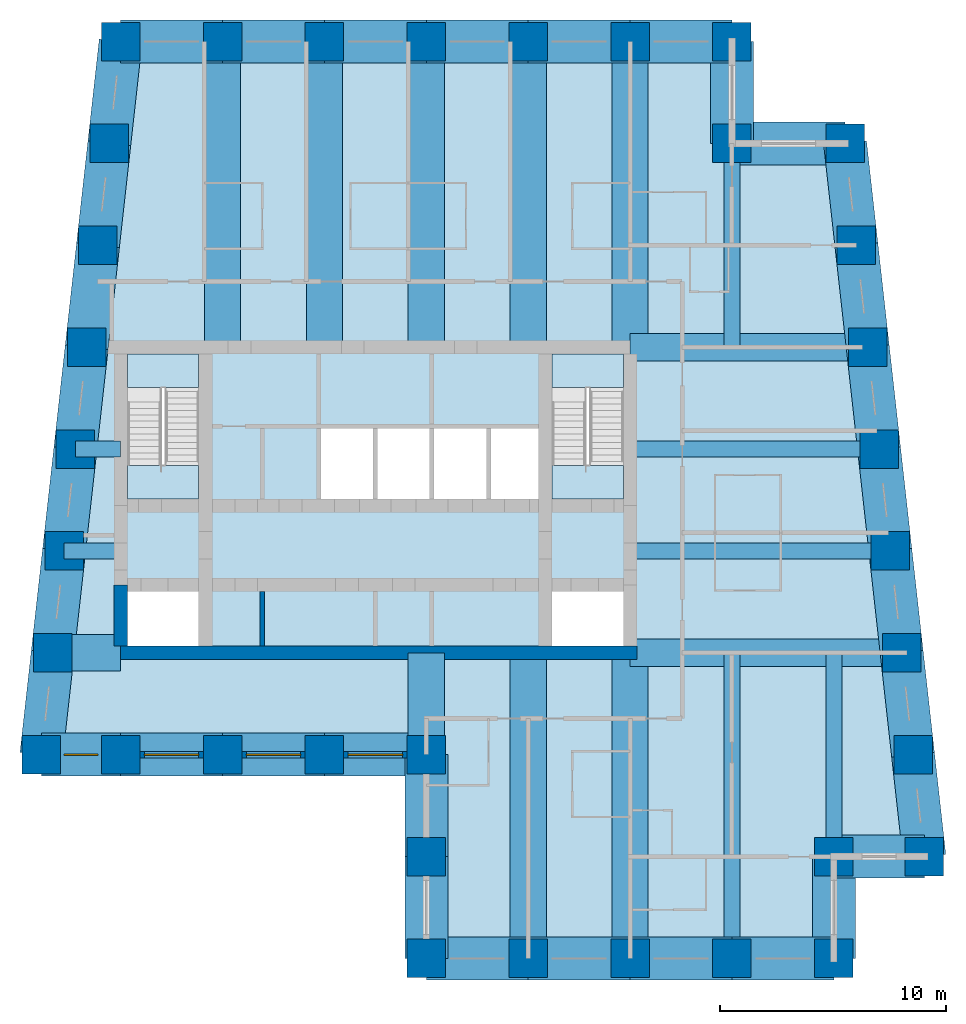
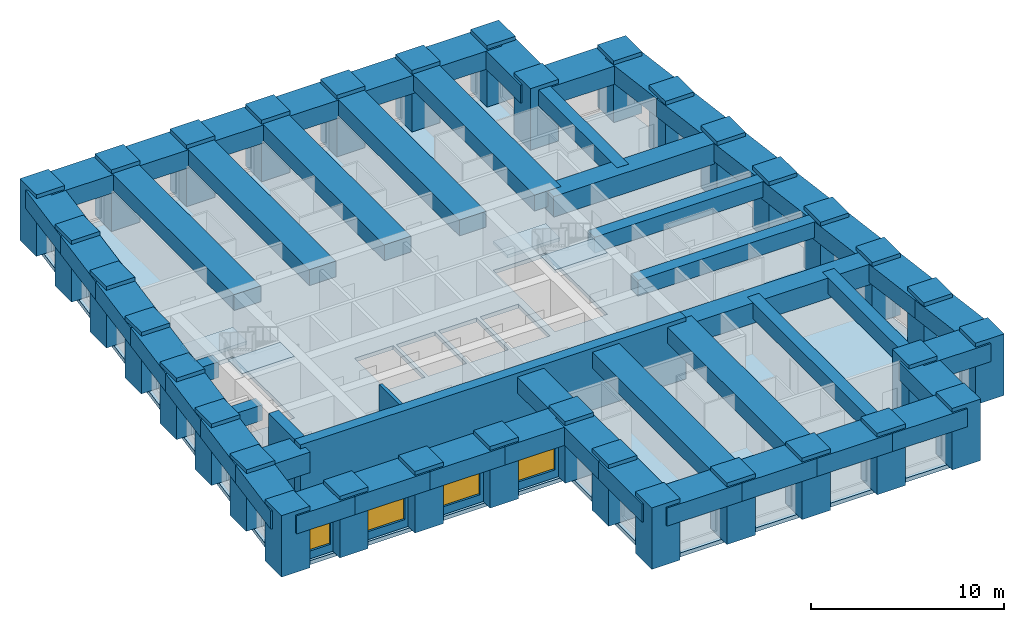
# One storey, part 1 of 7: 52 beams, 34 columns, 5 slabs, 4 walls, 4 windows, 4 openings, 2 elements without a shape of their own.
"""IFC4 building model written with IfcOpenShell, lengths in metres."""

from ifc_helpers import new_model, si_unit, direction, frame, frame_2d, origin, origin_2d, place, context, subcontext, project, spatial, polyline, rectangle, outline, extrude, material, layer, layer_set, material_profile, profile_set, type_object, element, fill, aggregate, save


model = new_model("IFC4")

# Units and contexts
model_context = context("Model", 3, precision=1e-05, world=origin(), true_north=direction((0.0, 1.0)))
body_context = subcontext(model_context, "Body", "Model", "MODEL_VIEW")
ifc_project = project(units=[si_unit("LENGTHUNIT", "METRE"), si_unit("AREAUNIT", "SQUARE_METRE"), si_unit("VOLUMEUNIT", "CUBIC_METRE"), si_unit("PLANEANGLEUNIT", "RADIAN"), si_unit("MASSUNIT", "GRAM", prefix="KILO")], contexts=[model_context])

# Site, building, storey
site_placement = place(None, origin())
site = spatial("IfcSite", under=ifc_project, at=site_placement, CompositionType="ELEMENT")
building_placement = place(site_placement, origin())
building = spatial("IfcBuilding", under=site, at=building_placement, Name="Kilele Tower Hotel", CompositionType="ELEMENT")
storey_placement = place(building_placement, frame((0.0, 0.0, 225.199951171875)))
storey = spatial("IfcBuildingStorey", under=building, at=storey_placement, Name="L58", CompositionType="ELEMENT", Elevation=225.199951171875)

# Columns
ifc_material_1 = material(Name="Concrete C60/75", Category="concrete")
ifc_material_profile_1 = material_profile(ifc_material_1, rectangle(XDim=1.699951171875, YDim=1.699951171875, at=origin_2d()))
ifc_profile_set_1 = profile_set([ifc_material_profile_1], Name="Concrete C60/75")
column_type = type_object("IfcColumnType", Name="Tube column RC 1700x1700 C60/75", PredefinedType="COLUMN", material=ifc_profile_set_1)
for number, where, z_axis, x_axis, name in (
    (1, (10.0, 9.0, 0.0), (0.0, 0.0, 1.0), (1.0, 0.0, 0.0), "Column TC4 L58"),
    (2, (13.5, 9.0, 0.0), (0.0, 0.0, 1.0), (1.0, 0.0, 0.0), "Column TC4 L58"),
    (3, (18.0, 9.0, 0.0), (0.0, 0.0, 1.0), (1.0, 0.0, 0.0), "Column TC4 L58"),
    (4, (22.5, 9.0, 0.0), (0.0, 0.0, 1.0), (1.0, 0.0, 0.0), "Column TC4 L58"),
    (5, (27.0, 9.0, 0.0), (0.0, 0.0, 1.0), (1.0, 0.0, 0.0), "Column TC4 L58"),
    (6, (27.0, 4.5, 0.0), (0.0, 0.0, 1.0), (1.0, 0.0, 0.0), "Column TC4 L58"),
    (7, (27.0, 0.0, 0.0), (0.0, 0.0, 1.0), (1.0, 0.0, 0.0), "Column TC4 L58"),
    (8, (31.5, 0.0, 0.0), (0.0, 0.0, 1.0), (1.0, 0.0, 0.0), "Column TC4 L58"),
    (9, (36.0, 0.0, 0.0), (0.0, 0.0, 1.0), (1.0, 0.0, 0.0), "Column TC4 L58"),
    (10, (40.5, 0.0, 0.0), (0.0, 0.0, 1.0), (1.0, 0.0, 0.0), "Column TC4 L58"),
    (11, (45.0, 0.0, 0.0), (0.0, 0.0, 1.0), (1.0, 0.0, 0.0), "Column TC4 L58"),
    (12, (45.0, 4.5, 0.0), (0.0, 0.0, 1.0), (1.0, 0.0, 0.0), "Column TC4 L58"),
    (13, (49.0, 4.5, 0.0), (0.0, 0.0, 1.0), (1.0, 0.0, 0.0), "Column TC4 L58"),
    (14, (48.5, 9.0, 0.0), (0.0, 0.0, 1.0), (1.0, 0.0, 0.0), "Column TC4 L58"),
    (15, (48.0, 13.5, 0.0), (0.0, 0.0, 1.0), (1.0, 0.0, 0.0), "Column TC4 L58"),
    (16, (47.5, 18.0, 0.0), (0.0, 0.0, 1.0), (1.0, 0.0, 0.0), "Column TC4 L58"),
    (17, (47.0, 22.5, 0.0), (0.0, 0.0, 1.0), (1.0, 0.0, 0.0), "Column TC4 L58"),
    (18, (46.5, 27.0, 0.0), (0.0, 0.0, 1.0), (1.0, 0.0, 0.0), "Column TC4 L58"),
    (19, (46.0, 31.5, 0.0), (0.0, 0.0, 1.0), (1.0, 0.0, 0.0), "Column TC4 L58"),
    (20, (45.5, 36.0, 0.0), (0.0, 0.0, 1.0), (1.0, 0.0, 0.0), "Column TC4 L58"),
    (21, (40.5, 36.0, 0.0), (0.0, 0.0, 1.0), (1.0, 0.0, 0.0), "Column TC4 L58"),
    (22, (40.5, 40.5, 0.0), (0.0, 0.0, 1.0), (1.0, 0.0, 0.0), "Column TC4 L58"),
    (23, (36.0, 40.5, 0.0), (0.0, 0.0, 1.0), (1.0, 0.0, 0.0), "Column TC4 L58"),
    (24, (31.5, 40.5, 0.0), (0.0, 0.0, 1.0), (1.0, 0.0, 0.0), "Column TC4 L58"),
    (25, (27.0, 40.5, 0.0), (0.0, 0.0, 1.0), (1.0, 0.0, 0.0), "Column TC4 L58"),
    (26, (22.5, 40.5, 0.0), (0.0, 0.0, 1.0), (1.0, 0.0, 0.0), "Column TC4 L58"),
    (27, (18.0, 40.5, 0.0), (0.0, 0.0, 1.0), (1.0, 0.0, 0.0), "Column TC4 L58"),
    (28, (13.5, 40.5, 0.0), (0.0, 0.0, 1.0), (1.0, 0.0, 0.0), "Column TC4 L58"),
    (29, (13.0, 36.0, 0.0), (0.0, 0.0, 1.0), (1.0, 0.0, 0.0), "Column TC4 L58"),
    (30, (12.5, 31.5, 0.0), (0.0, 0.0, 1.0), (1.0, 0.0, 0.0), "Column TC4 L58"),
    (31, (12.0, 27.0, 0.0), (0.0, 0.0, 1.0), (1.0, 0.0, 0.0), "Column TC4 L58"),
    (32, (11.5, 22.5, 0.0), (0.0, 0.0, 1.0), (1.0, 0.0, 0.0), "Column TC4 L58"),
    (33, (11.0, 18.0, 0.0), (0.0, 0.0, 1.0), (1.0, 0.0, 0.0), "Column TC4 L58"),
    (34, (10.5, 13.5, 0.0), (0.0, 0.0, 1.0), (1.0, 0.0, 0.0), "Column TC4 L58"),
):
    element("IfcColumn", number, at=place(storey_placement, frame(where, z_axis=z_axis, x_axis=x_axis)), inside=storey, type_object=column_type, Name=name, PredefinedType="COLUMN", context=body_context, shape_type="SweptSolid", body=[
        extrude(rectangle(XDim=1.699951171875, YDim=1.699951171875, at=origin_2d()), origin(), (0.0, 0.0, 1.0), 3.900146484375),
    ])

# Beams
ifc_material_2 = material(Name="Concrete C60/75", Category="concrete")
ifc_material_profile_2 = material_profile(ifc_material_2, rectangle(XDim=1.60009765625, YDim=1.0, at=origin_2d()))
ifc_profile_set_2 = profile_set([ifc_material_profile_2], Name="Concrete C60/75")
beam_type_1 = type_object("IfcBeamType", Name="Beam RC 1600x1000 C60/75", PredefinedType="BEAM", material=ifc_profile_set_2)
for number, where, z_axis, x_axis, name in (
    (35, (31.5, 0.0, 3.150146484375), (0.0, 1.0, 0.0), (-1.0, 0.0, 0.0), "Beam BC1 level L59"),
    (36, (36.0, 0.0, 3.150146484375), (0.0, 1.0, 0.0), (-1.0, 0.0, 0.0), "Beam BC1 level L59"),
    (37, (36.0, 40.5, 3.150146484375), (0.0, -1.0, 0.0), (1.0, 0.0, 0.0), "Beam BC1 level L59"),
    (38, (31.5, 40.5, 3.150146484375), (0.0, -1.0, 0.0), (1.0, 0.0, 0.0), "Beam BC1 level L59"),
    (39, (27.0, 40.5, 3.150146484375), (0.0, -1.0, 0.0), (1.0, 0.0, 0.0), "Beam BC1 level L59"),
    (40, (22.5, 40.5, 3.150146484375), (0.0, -1.0, 0.0), (1.0, 0.0, 0.0), "Beam BC1 level L59"),
    (41, (18.0, 40.5, 3.150146484375), (0.0, -1.0, 0.0), (1.0, 0.0, 0.0), "Beam BC1 level L59"),
):
    element("IfcBeam", number, at=place(storey_placement, frame(where, z_axis=z_axis, x_axis=x_axis)), inside=storey, type_object=beam_type_1, Name=name, PredefinedType="BEAM", context=body_context, shape_type="SweptSolid", body=[
        extrude(rectangle(XDim=1.60009765625, YDim=1.0, at=origin_2d()), origin(), (0.0, 0.0, 1.0), 13.5),
    ])
ifc_material_3 = material(Name="Concrete C60/75", Category="concrete")
ifc_material_profile_3 = material_profile(ifc_material_3, rectangle(XDim=1.60009765625, YDim=1.0, at=origin_2d()))
ifc_profile_set_3 = profile_set([ifc_material_profile_3], Name="Concrete C60/75")
beam_type_2 = type_object("IfcBeamType", Name="Beam RC 1600x1000 C60/75 short span", PredefinedType="BEAM", material=ifc_profile_set_3)
beam_1_placement = place(storey_placement, frame((27.0, 9.0, 3.150146484375), z_axis=(0.0, 1.0, 0.0), x_axis=(-1.0, 0.0, 0.0)))
element("IfcBeam", 42, at=beam_1_placement, inside=storey, type_object=beam_type_2, Name="Beam BC2 level L59", PredefinedType="BEAM", context=body_context, shape_type="SweptSolid", body=[
    extrude(rectangle(XDim=1.60009765625, YDim=1.0, at=origin_2d()), origin(), (0.0, 0.0, 1.0), 4.5),
])
ifc_material_4 = material(Name="Concrete C60/75", Category="concrete")
ifc_material_profile_4 = material_profile(ifc_material_4, rectangle(XDim=0.699951171875, YDim=1.0, at=origin_2d()))
ifc_profile_set_4 = profile_set([ifc_material_profile_4], Name="Concrete C60/75")
beam_type_3 = type_object("IfcBeamType", Name="Beam RC 700x1000 C60/75", PredefinedType="BEAM", material=ifc_profile_set_4)
beam_2_placement = place(storey_placement, frame((40.5, 0.0, 3.150146484375), z_axis=(0.0, 1.0, 0.0), x_axis=(-1.0, 0.0, 0.0)))
element("IfcBeam", 43, at=beam_2_placement, inside=storey, type_object=beam_type_3, Name="Beam B4 level L59", PredefinedType="BEAM", context=body_context, shape_type="SweptSolid", body=[
    extrude(rectangle(XDim=0.699951171875, YDim=1.0, at=origin_2d()), origin(), (0.0, 0.0, 1.0), 13.5),
])
ifc_material_5 = material(Name="Concrete C60/75", Category="concrete")
ifc_material_profile_5 = material_profile(ifc_material_5, rectangle(XDim=0.699951171875, YDim=1.0, at=origin_2d()))
ifc_profile_set_5 = profile_set([ifc_material_profile_5], Name="Concrete C60/75")
beam_type_4 = type_object("IfcBeamType", Name="Beam RC 700x1000 C60/75 mid span", PredefinedType="BEAM", material=ifc_profile_set_5)
beam_3_placement = place(storey_placement, frame((45.0, 4.5, 3.150146484375), z_axis=(0.0, 1.0, 0.0), x_axis=(-1.0, 0.0, 0.0)))
element("IfcBeam", 44, at=beam_3_placement, inside=storey, type_object=beam_type_4, Name="Beam B5 level L59", PredefinedType="BEAM", context=body_context, shape_type="SweptSolid", body=[
    extrude(rectangle(XDim=0.699951171875, YDim=1.0, at=origin_2d()), origin(), (0.0, 0.0, 1.0), 9.0),
])
beam_4_placement = place(storey_placement, frame((47.5, 18.0, 3.150146484375), z_axis=(-1.0, 0.0, 0.0), x_axis=(0.0, -1.0, 0.0)))
element("IfcBeam", 45, at=beam_4_placement, inside=storey, type_object=beam_type_4, Name="Beam B5 level L59", PredefinedType="BEAM", context=body_context, shape_type="SweptSolid", body=[
    extrude(rectangle(XDim=0.699951171875, YDim=1.0, at=origin_2d()), origin(), (0.0, 0.0, 1.0), 11.5),
])
beam_5_placement = place(storey_placement, frame((47.0, 22.5, 3.150146484375), z_axis=(-1.0, 0.0, 0.0), x_axis=(0.0, -1.0, 0.0)))
element("IfcBeam", 46, at=beam_5_placement, inside=storey, type_object=beam_type_4, Name="Beam B5 level L59", PredefinedType="BEAM", context=body_context, shape_type="SweptSolid", body=[
    extrude(rectangle(XDim=0.699951171875, YDim=1.0, at=origin_2d()), origin(), (0.0, 0.0, 1.0), 11.0),
])
beam_6_placement = place(storey_placement, frame((40.5, 36.0, 3.150146484375), z_axis=(0.0, -1.0, 0.0), x_axis=(1.0, 0.0, 0.0)))
element("IfcBeam", 47, at=beam_6_placement, inside=storey, type_object=beam_type_4, Name="Beam B5 level L59", PredefinedType="BEAM", context=body_context, shape_type="SweptSolid", body=[
    extrude(rectangle(XDim=0.699951171875, YDim=1.0, at=origin_2d()), origin(), (0.0, 0.0, 1.0), 9.0),
])
ifc_material_6 = material(Name="Concrete C60/75", Category="concrete")
ifc_material_profile_6 = material_profile(ifc_material_6, rectangle(XDim=0.699951171875, YDim=1.0, at=origin_2d()))
ifc_profile_set_6 = profile_set([ifc_material_profile_6], Name="Concrete C60/75")
beam_type_5 = type_object("IfcBeamType", Name="Beam RC 700x1000 C60/75 short span", PredefinedType="BEAM", material=ifc_profile_set_6)
beam_7_placement = place(storey_placement, frame((11.5, 22.5, 3.150146484375), z_axis=(1.0, 0.0, 0.0), x_axis=(0.0, 1.0, 0.0)))
element("IfcBeam", 48, at=beam_7_placement, inside=storey, type_object=beam_type_5, Name="Beam B6 level L59", PredefinedType="BEAM", context=body_context, shape_type="SweptSolid", body=[
    extrude(rectangle(XDim=0.699951171875, YDim=1.0, at=origin_2d()), origin(), (0.0, 0.0, 1.0), 2.0),
])
beam_8_placement = place(storey_placement, frame((11.0, 18.0, 3.150146484375), z_axis=(1.0, 0.0, 0.0), x_axis=(0.0, 1.0, 0.0)))
element("IfcBeam", 49, at=beam_8_placement, inside=storey, type_object=beam_type_5, Name="Beam B6 level L59", PredefinedType="BEAM", context=body_context, shape_type="SweptSolid", body=[
    extrude(rectangle(XDim=0.699951171875, YDim=1.0, at=origin_2d()), origin(), (0.0, 0.0, 1.0), 2.5),
])
ifc_material_7 = material(Name="Concrete C60/75", Category="concrete")
ifc_material_profile_7 = material_profile(ifc_material_7, rectangle(XDim=1.60009765625, YDim=1.300048828125, at=origin_2d()))
ifc_profile_set_7 = profile_set([ifc_material_profile_7], Name="Concrete C60/75")
beam_type_6 = type_object("IfcBeamType", Name="Coupling girder RC 1600x1300 C60/75", PredefinedType="BEAM", material=ifc_profile_set_7)
beam_9_placement = place(storey_placement, frame((10.5, 13.5, 3.0), z_axis=(1.0, 0.0, 0.0), x_axis=(0.0, 1.0, 0.0)))
element("IfcBeam", 50, at=beam_9_placement, inside=storey, type_object=beam_type_6, Name="Coupling girder G2 level L59", PredefinedType="BEAM", context=body_context, shape_type="SweptSolid", body=[
    extrude(rectangle(XDim=1.60009765625, YDim=1.300048828125, at=origin_2d()), origin(), (0.0, 0.0, 1.0), 3.0),
])
ifc_material_8 = material(Name="Concrete C60/75", Category="concrete")
ifc_material_profile_8 = material_profile(ifc_material_8, rectangle(XDim=1.199951171875, YDim=1.300048828125, at=origin_2d()))
ifc_profile_set_8 = profile_set([ifc_material_profile_8], Name="Concrete C60/75")
beam_type_7 = type_object("IfcBeamType", Name="Girder RC 1200x1300 C60/75", PredefinedType="BEAM", material=ifc_profile_set_8)
beam_10_placement = place(storey_placement, frame((48.0, 13.5, 3.0), z_axis=(-1.0, 0.0, 0.0), x_axis=(0.0, -1.0, 0.0)))
element("IfcBeam", 51, at=beam_10_placement, inside=storey, type_object=beam_type_7, Name="Girder G1 level L59", PredefinedType="BEAM", context=body_context, shape_type="SweptSolid", body=[
    extrude(rectangle(XDim=1.199951171875, YDim=1.300048828125, at=origin_2d()), origin(), (0.0, 0.0, 1.0), 12.0),
])
ifc_material_9 = material(Name="Concrete C60/75", Category="concrete")
ifc_material_profile_9 = material_profile(ifc_material_9, rectangle(XDim=1.199951171875, YDim=1.300048828125, at=origin_2d()))
ifc_profile_set_9 = profile_set([ifc_material_profile_9], Name="Concrete C60/75")
beam_type_8 = type_object("IfcBeamType", Name="Girder RC 1200x1300 C60/75 mid span", PredefinedType="BEAM", material=ifc_profile_set_9)
beam_11_placement = place(storey_placement, frame((46.5, 27.0, 3.0), z_axis=(-1.0, 0.0, 0.0), x_axis=(0.0, -1.0, 0.0)))
element("IfcBeam", 52, at=beam_11_placement, inside=storey, type_object=beam_type_8, Name="Girder G3 level L59", PredefinedType="BEAM", context=body_context, shape_type="SweptSolid", body=[
    extrude(rectangle(XDim=1.199951171875, YDim=1.300048828125, at=origin_2d()), origin(), (0.0, 0.0, 1.0), 10.5),
])
ifc_material_10 = material(Name="Concrete C60/75", Category="concrete")
ifc_material_profile_10 = material_profile(ifc_material_10, rectangle(XDim=1.89990234375, YDim=1.14990234375, at=origin_2d()))
ifc_profile_set_10 = profile_set([ifc_material_profile_10], Name="Concrete C60/75")
beam_type_9 = type_object("IfcBeamType", Name="Spandrel RC 1900x1150 C60/75", PredefinedType="SPANDREL", material=ifc_profile_set_10)
beam_12_placement = place(storey_placement, frame((10.0, 9.0, 3.074951171875), z_axis=(1.0, 0.0, 0.0), x_axis=(0.0, 1.0, 0.0)))
element("IfcBeam", 53, at=beam_12_placement, inside=storey, type_object=beam_type_9, Name="Spandrel SP8 level L59", PredefinedType="SPANDREL", context=body_context, shape_type="SweptSolid", body=[
    extrude(rectangle(XDim=1.89990234375, YDim=1.14990234375, at=origin_2d()), origin(), (0.0, 0.0, 1.0), 3.5),
])
for number, where, z_axis, x_axis, name in (
    (54, (13.5, 9.0, 3.074951171875), (1.0, 0.0, 0.0), (0.0, 1.0, 0.0), "Spandrel SP8 level L59"),
    (55, (18.0, 9.0, 3.074951171875), (1.0, 0.0, 0.0), (0.0, 1.0, 0.0), "Spandrel SP8 level L59"),
    (56, (22.5, 9.0, 3.074951171875), (1.0, 0.0, 0.0), (0.0, 1.0, 0.0), "Spandrel SP8 level L59"),
    (57, (27.0, 9.0, 3.074951171875), (0.0, -1.0, 0.0), (1.0, 0.0, 0.0), "Spandrel SP8 level L59"),
    (58, (27.0, 4.5, 3.074951171875), (0.0, -1.0, 0.0), (1.0, 0.0, 0.0), "Spandrel SP8 level L59"),
    (59, (27.0, 0.0, 3.074951171875), (1.0, 0.0, 0.0), (0.0, 1.0, 0.0), "Spandrel SP8 level L59"),
    (60, (31.5, 0.0, 3.074951171875), (1.0, 0.0, 0.0), (0.0, 1.0, 0.0), "Spandrel SP8 level L59"),
    (61, (36.0, 0.0, 3.074951171875), (1.0, 0.0, 0.0), (0.0, 1.0, 0.0), "Spandrel SP8 level L59"),
    (62, (40.5, 0.0, 3.074951171875), (1.0, 0.0, 0.0), (0.0, 1.0, 0.0), "Spandrel SP8 level L59"),
    (63, (45.0, 0.0, 3.074951171875), (0.0, 1.0, 0.0), (-1.0, 0.0, 0.0), "Spandrel SP8 level L59"),
):
    element("IfcBeam", number, at=place(storey_placement, frame(where, z_axis=z_axis, x_axis=x_axis)), inside=storey, type_object=beam_type_9, Name=name, PredefinedType="SPANDREL", context=body_context, shape_type="SweptSolid", body=[
        extrude(rectangle(XDim=1.89990234375, YDim=1.14990234375, at=origin_2d()), origin(), (0.0, 0.0, 1.0), 4.5),
    ])
beam_13_placement = place(storey_placement, frame((45.0, 4.5, 3.074951171875), z_axis=(1.0, 0.0, 0.0), x_axis=(0.0, 1.0, 0.0)))
element("IfcBeam", 64, at=beam_13_placement, inside=storey, type_object=beam_type_9, Name="Spandrel SP8 level L59", PredefinedType="SPANDREL", context=body_context, shape_type="SweptSolid", body=[
    extrude(rectangle(XDim=1.89990234375, YDim=1.14990234375, at=origin_2d()), origin(), (0.0, 0.0, 1.0), 4.0),
])
for number, where, z_axis, x_axis, name in (
    (65, (49.0, 4.5, 3.074951171875), (-0.110431526075, 0.993883734674, 0.0), (-0.993883734674, -0.110431526075, 0.0), "Spandrel SP8 level L59"),
    (66, (48.5, 9.0, 3.074951171875), (-0.110431526075, 0.993883734674, 0.0), (-0.993883734674, -0.110431526075, 0.0), "Spandrel SP8 level L59"),
    (67, (48.0, 13.5, 3.074951171875), (-0.110431526075, 0.993883734674, 0.0), (-0.993883734674, -0.110431526075, 0.0), "Spandrel SP8 level L59"),
    (68, (47.5, 18.0, 3.074951171875), (-0.110431526075, 0.993883734674, 0.0), (-0.993883734674, -0.110431526075, 0.0), "Spandrel SP8 level L59"),
    (69, (47.0, 22.5, 3.074951171875), (-0.110431526075, 0.993883734674, 0.0), (-0.993883734674, -0.110431526075, 0.0), "Spandrel SP8 level L59"),
    (70, (46.5, 27.0, 3.074951171875), (-0.110431526075, 0.993883734674, 0.0), (-0.993883734674, -0.110431526075, 0.0), "Spandrel SP8 level L59"),
    (71, (46.0, 31.5, 3.074951171875), (-0.110431526075, 0.993883734674, 0.0), (-0.993883734674, -0.110431526075, 0.0), "Spandrel SP8 level L59"),
):
    element("IfcBeam", number, at=place(storey_placement, frame(where, z_axis=z_axis, x_axis=x_axis)), inside=storey, type_object=beam_type_9, Name=name, PredefinedType="SPANDREL", context=body_context, shape_type="SweptSolid", body=[
        extrude(rectangle(XDim=1.89990234375, YDim=1.14990234375, at=origin_2d()), origin(), (0.0, 0.0, 1.0), 4.527587890625),
    ])
beam_14_placement = place(storey_placement, frame((45.5, 36.0, 3.074951171875), z_axis=(-1.0, 0.0, 0.0), x_axis=(0.0, -1.0, 0.0)))
element("IfcBeam", 72, at=beam_14_placement, inside=storey, type_object=beam_type_9, Name="Spandrel SP8 level L59", PredefinedType="SPANDREL", context=body_context, shape_type="SweptSolid", body=[
    extrude(rectangle(XDim=1.89990234375, YDim=1.14990234375, at=origin_2d()), origin(), (0.0, 0.0, 1.0), 5.0),
])
for number, where, z_axis, x_axis, name in (
    (73, (40.5, 36.0, 3.074951171875), (0.0, 1.0, 0.0), (-1.0, 0.0, 0.0), "Spandrel SP8 level L59"),
    (74, (40.5, 40.5, 3.074951171875), (-1.0, 0.0, 0.0), (0.0, -1.0, 0.0), "Spandrel SP8 level L59"),
    (75, (36.0, 40.5, 3.074951171875), (-1.0, 0.0, 0.0), (0.0, -1.0, 0.0), "Spandrel SP8 level L59"),
    (76, (31.5, 40.5, 3.074951171875), (-1.0, 0.0, 0.0), (0.0, -1.0, 0.0), "Spandrel SP8 level L59"),
    (77, (27.0, 40.5, 3.074951171875), (-1.0, 0.0, 0.0), (0.0, -1.0, 0.0), "Spandrel SP8 level L59"),
    (78, (22.5, 40.5, 3.074951171875), (-1.0, 0.0, 0.0), (0.0, -1.0, 0.0), "Spandrel SP8 level L59"),
    (79, (18.0, 40.5, 3.074951171875), (-1.0, 0.0, 0.0), (0.0, -1.0, 0.0), "Spandrel SP8 level L59"),
):
    element("IfcBeam", number, at=place(storey_placement, frame(where, z_axis=z_axis, x_axis=x_axis)), inside=storey, type_object=beam_type_9, Name=name, PredefinedType="SPANDREL", context=body_context, shape_type="SweptSolid", body=[
        extrude(rectangle(XDim=1.89990234375, YDim=1.14990234375, at=origin_2d()), origin(), (0.0, 0.0, 1.0), 4.5),
    ])
for number, where, z_axis, x_axis, name in (
    (80, (13.5, 40.5, 3.074951171875), (-0.110431526075, -0.993883734674, 0.0), (0.993883734674, -0.110431526075, 0.0), "Spandrel SP8 level L59"),
    (81, (13.0, 36.0, 3.074951171875), (-0.110431526075, -0.993883734674, 0.0), (0.993883734674, -0.110431526075, 0.0), "Spandrel SP8 level L59"),
    (82, (12.5, 31.5, 3.074951171875), (-0.110431526075, -0.993883734674, 0.0), (0.993883734674, -0.110431526075, 0.0), "Spandrel SP8 level L59"),
    (83, (12.0, 27.0, 3.074951171875), (-0.110431526075, -0.993883734674, 0.0), (0.993883734674, -0.110431526075, 0.0), "Spandrel SP8 level L59"),
    (84, (11.5, 22.5, 3.074951171875), (-0.110431526075, -0.993883734674, 0.0), (0.993883734674, -0.110431526075, 0.0), "Spandrel SP8 level L59"),
    (85, (11.0, 18.0, 3.074951171875), (-0.110431526075, -0.993883734674, 0.0), (0.993883734674, -0.110431526075, 0.0), "Spandrel SP8 level L59"),
    (86, (10.5, 13.5, 3.074951171875), (-0.110431526075, -0.993883734674, 0.0), (0.993883734674, -0.110431526075, 0.0), "Spandrel SP8 level L59"),
):
    element("IfcBeam", number, at=place(storey_placement, frame(where, z_axis=z_axis, x_axis=x_axis)), inside=storey, type_object=beam_type_9, Name=name, PredefinedType="SPANDREL", context=body_context, shape_type="SweptSolid", body=[
        extrude(rectangle(XDim=1.89990234375, YDim=1.14990234375, at=origin_2d()), origin(), (0.0, 0.0, 1.0), 4.527587890625),
    ])

# Slab
ifc_material_11 = material(Name="Concrete C60/75", Category="concrete")
ifc_layer_1 = layer(ifc_material_11, 0.25)
ifc_layer_set_1 = layer_set([ifc_layer_1], Name="Concrete C60/75")
slab_type_1 = type_object("IfcSlabType", Name="Floor slab 250", PredefinedType="FLOOR", material=ifc_layer_set_1)
slab_1_placement = place(storey_placement, frame((0.0, 0.0, -0.25)))
element("IfcSlab", 87, at=slab_1_placement, inside=storey, type_object=slab_type_1, Name="Floor slab L58", PredefinedType="FLOOR", context=body_context, shape_type="SweptSolid", body=[
    extrude(outline(polyline([(40.800048828125, 40.800048828125), (40.800048828125, 36.300048828125), (45.7685546875, 36.300048828125), (49.335205078125, 4.199951171875), (45.300048828125, 4.199951171875), (45.300048828125, -0.300048828125), (26.699951171875, -0.300048828125), (26.699951171875, 8.699951171875), (9.664794921875, 8.699951171875), (13.2314453125, 40.800048828125), (40.800048828125, 40.800048828125)]), holes=[polyline([(16.949951171875, 16.199951171875), (13.800048828125, 16.199951171875), (13.800048828125, 13.800048828125), (16.949951171875, 13.800048828125), (16.949951171875, 16.199951171875)]), polyline([(35.699951171875, 16.199951171875), (32.550048828125, 16.199951171875), (32.550048828125, 13.800048828125), (35.699951171875, 13.800048828125), (35.699951171875, 16.199951171875)]), polyline([(24.64990234375, 23.39990234375), (22.35009765625, 23.39990234375), (22.35009765625, 20.10009765625), (24.64990234375, 20.10009765625), (24.64990234375, 23.39990234375)]), polyline([(27.14990234375, 23.39990234375), (24.85009765625, 23.39990234375), (24.85009765625, 20.10009765625), (27.14990234375, 20.10009765625), (27.14990234375, 23.39990234375)]), polyline([(29.64990234375, 23.39990234375), (27.35009765625, 23.39990234375), (27.35009765625, 20.10009765625), (29.64990234375, 20.10009765625), (29.64990234375, 23.39990234375)]), polyline([(32.14990234375, 23.39990234375), (29.85009765625, 23.39990234375), (29.85009765625, 20.10009765625), (32.14990234375, 20.10009765625), (32.14990234375, 23.39990234375)]), polyline([(16.949951171875, 26.699951171875), (13.800048828125, 26.699951171875), (13.800048828125, 20.300048828125), (16.949951171875, 20.300048828125), (16.949951171875, 26.699951171875)]), polyline([(35.699951171875, 26.699951171875), (32.550048828125, 26.699951171875), (32.550048828125, 20.300048828125), (35.699951171875, 20.300048828125), (35.699951171875, 26.699951171875)])]), origin(), (0.0, 0.0, 1.0), 0.25),
])

# Stair, slabs
ifc_material_12 = material(Name="Precast concrete C40/50", Category="concrete")
stair_type = type_object("IfcStairType", Name="Stair 1475 x 3900", PredefinedType="HALF_TURN_STAIR", material=ifc_material_12)
stair_1_placement = place(storey_placement, origin())
stair_1 = element("IfcStair", 88, at=stair_1_placement, inside=storey, type_object=stair_type, Name="Stair 1 L58", PredefinedType="HALF_TURN_STAIR")
ifc_material_13 = material(Name="Precast concrete C40/50", Category="concrete")
ifc_layer_2 = layer(ifc_material_13, 0.199951171875)
ifc_layer_set_2 = layer_set([ifc_layer_2], Name="Precast concrete C40/50")
slab_type_2 = type_object("IfcSlabType", Name="Stair landing 200", PredefinedType="LANDING", material=ifc_layer_set_2)
slab_2_placement = place(storey_placement, frame((0.0, 0.0, 1.665283203125)))
slab_2 = element("IfcSlab", 89, at=slab_2_placement, type_object=slab_type_2, Name="ST1 landing 1", PredefinedType="LANDING", context=body_context, shape_type="SweptSolid", body=[
    extrude(outline(polyline([(13.800048828125, 25.22509765625), (16.949951171875, 25.22509765625), (16.949951171875, 26.699951171875), (13.800048828125, 26.699951171875), (13.800048828125, 25.22509765625)])), origin(), (0.0, 0.0, 1.0), 0.199951171875),
])
slab_3_placement = place(storey_placement, frame((0.0, 0.0, 3.699951171875)))
slab_3 = element("IfcSlab", 90, at=slab_3_placement, type_object=slab_type_2, Name="ST1 landing 2", PredefinedType="LANDING", context=body_context, shape_type="SweptSolid", body=[
    extrude(outline(polyline([(13.800048828125, 20.300048828125), (16.949951171875, 20.300048828125), (16.949951171875, 21.77490234375), (13.800048828125, 21.77490234375), (13.800048828125, 20.300048828125)])), origin(), (0.0, 0.0, 1.0), 0.2001953125),
])
aggregate(stair_1, [slab_2, slab_3])

stair_2_placement = place(storey_placement, origin())
stair_2 = element("IfcStair", 91, at=stair_2_placement, inside=storey, type_object=stair_type, Name="Stair 2 L58", PredefinedType="HALF_TURN_STAIR")
slab_4_placement = place(storey_placement, frame((0.0, 0.0, 1.665283203125)))
slab_4 = element("IfcSlab", 92, at=slab_4_placement, type_object=slab_type_2, Name="ST2 landing 1", PredefinedType="LANDING", context=body_context, shape_type="SweptSolid", body=[
    extrude(outline(polyline([(32.550048828125, 25.22509765625), (35.699951171875, 25.22509765625), (35.699951171875, 26.699951171875), (32.550048828125, 26.699951171875), (32.550048828125, 25.22509765625)])), origin(), (0.0, 0.0, 1.0), 0.199951171875),
])
slab_5_placement = place(storey_placement, frame((0.0, 0.0, 3.699951171875)))
slab_5 = element("IfcSlab", 93, at=slab_5_placement, type_object=slab_type_2, Name="ST2 landing 2", PredefinedType="LANDING", context=body_context, shape_type="SweptSolid", body=[
    extrude(outline(polyline([(32.550048828125, 20.300048828125), (35.699951171875, 20.300048828125), (35.699951171875, 21.77490234375), (32.550048828125, 21.77490234375), (32.550048828125, 20.300048828125)])), origin(), (0.0, 0.0, 1.0), 0.2001953125),
])
aggregate(stair_2, [slab_4, slab_5])

# Walls
ifc_material_14 = material(Name="Concrete C60/75", Category="concrete")
ifc_layer_3 = layer(ifc_material_14, 0.60009765625)
ifc_layer_set_3 = layer_set([ifc_layer_3], Name="Concrete C60/75")
wall_type_1 = type_object("IfcWallType", Name="Core wall 600 C60/75", PredefinedType="SHEAR", material=ifc_layer_set_3)
wall_1_placement = place(storey_placement, frame((13.199951171875, 13.5, 0.0), z_axis=(0.0, 0.0, 1.0), x_axis=(1.0, 0.0, 0.0)))
element("IfcWall", 94, at=wall_1_placement, inside=storey, type_object=wall_type_1, Name="Core wall S L58", PredefinedType="SHEAR", context=body_context, shape_type="SweptSolid", body=[
    extrude(rectangle(XDim=23.10009765625, YDim=0.60009765625, at=frame_2d((11.550048828125, 0.0))), origin(), (0.0, 0.0, 1.0), 3.900146484375),
])
wall_2_placement = place(storey_placement, frame((13.5, 16.5, 0.0), z_axis=(0.0, 0.0, 1.0), x_axis=(0.0, -1.0, 0.0)))
element("IfcWall", 95, at=wall_2_placement, inside=storey, type_object=wall_type_1, Name="Core wall W3 L58", PredefinedType="SHEAR", context=body_context, shape_type="SweptSolid", body=[
    extrude(rectangle(XDim=2.699951171875, YDim=0.60009765625, at=frame_2d((1.35009765625, 0.0))), origin(), (0.0, 0.0, 1.0), 3.900146484375),
])

# Wall, openings, windows
ifc_material_15 = material(Name="Concrete C40/50 precast", Category="concrete")
ifc_layer_4 = layer(ifc_material_15, 0.260009765625, Name="Precast backing", Category="LoadBearing")
ifc_material_16 = material(Name="Reconstituted stone finish", Category="masonry")
ifc_layer_5 = layer(ifc_material_16, 0.0400390625, Name="Face mix", Category="Finish")
ifc_layer_set_4 = layer_set([ifc_layer_4, ifc_layer_5], Name="Precast concrete C40/50, reconstituted stone finish")
wall_type_2 = type_object("IfcWallType", Name="Precast stone facade wall 300", PredefinedType="STANDARD", material=ifc_layer_set_4)
wall_3_placement = place(storey_placement, frame((9.85009765625, 9.0, 0.0), z_axis=(0.0, 0.0, 1.0), x_axis=(1.0, 0.0, 0.0)))
wall_3 = element("IfcWall", 96, at=wall_3_placement, inside=storey, type_object=wall_type_2, Name="Facade wall L58 edge 1", PredefinedType="STANDARD", context=body_context, shape_type="SweptSolid", body=[
    extrude(rectangle(XDim=17.2998046875, YDim=0.300048828125, at=frame_2d((8.64990234375, 0.0))), origin(), (0.0, 0.0, 1.0), 2.5),
])
opening_1_placement = place(wall_3_placement, frame((1.14990234375, 0.0, 0.5)))
opening_1 = element("IfcOpeningElement", 97, at=opening_1_placement, cuts=wall_3, Name="Opening W4", PredefinedType="OPENING", context=body_context, shape_type="SweptSolid", body=[
    extrude(rectangle(XDim=1.5, YDim=1.85009765625, at=frame_2d((0.75, 0.925048828125))), frame((0.0, 0.159912109375, 0.0), z_axis=(0.0, -1.0, 0.0), x_axis=(1.0, 0.0, 0.0)), (0.0, 0.0, 1.0), 0.320068359375),
])
opening_2_placement = place(wall_3_placement, frame((4.699951171875, 0.0, 0.5)))
opening_2 = element("IfcOpeningElement", 98, at=opening_2_placement, cuts=wall_3, Name="Opening W4", PredefinedType="OPENING", context=body_context, shape_type="SweptSolid", body=[
    extrude(rectangle(XDim=2.39990234375, YDim=1.85009765625, at=frame_2d((1.199951171875, 0.925048828125))), frame((0.0, 0.159912109375, 0.0), z_axis=(0.0, -1.0, 0.0), x_axis=(1.0, 0.0, 0.0)), (0.0, 0.0, 1.0), 0.320068359375),
])
opening_3_placement = place(wall_3_placement, frame((9.199951171875, 0.0, 0.5)))
opening_3 = element("IfcOpeningElement", 99, at=opening_3_placement, cuts=wall_3, Name="Opening W4", PredefinedType="OPENING", context=body_context, shape_type="SweptSolid", body=[
    extrude(rectangle(XDim=2.39990234375, YDim=1.85009765625, at=frame_2d((1.199951171875, 0.925048828125))), frame((0.0, 0.159912109375, 0.0), z_axis=(0.0, -1.0, 0.0), x_axis=(1.0, 0.0, 0.0)), (0.0, 0.0, 1.0), 0.320068359375),
])
opening_4_placement = place(wall_3_placement, frame((13.699951171875, 0.0, 0.5)))
opening_4 = element("IfcOpeningElement", 100, at=opening_4_placement, cuts=wall_3, Name="Opening W4", PredefinedType="OPENING", context=body_context, shape_type="SweptSolid", body=[
    extrude(rectangle(XDim=2.39990234375, YDim=1.85009765625, at=frame_2d((1.199951171875, 0.925048828125))), frame((0.0, 0.159912109375, 0.0), z_axis=(0.0, -1.0, 0.0), x_axis=(1.0, 0.0, 0.0)), (0.0, 0.0, 1.0), 0.320068359375),
])
ifc_material_17 = material(Name="Aluminium frame, clear double glazing", Category="aluminium")
window_type_1 = type_object("IfcWindowType", Name="Window W4 1500 x 1850", PartitioningType="SINGLE_PANEL", PredefinedType="WINDOW", material=ifc_material_17)
window_1_placement = place(opening_1_placement, origin())
window_1 = element("IfcWindow", 101, at=window_1_placement, inside=storey, type_object=window_type_1, Name="Window L58", OverallHeight=1.85009765625, OverallWidth=1.5, PartitioningType="SINGLE_PANEL", PredefinedType="WINDOW", context=body_context, shape_type="SweptSolid", body=[
    extrude(rectangle(XDim=1.5, YDim=1.85009765625, at=frame_2d((0.75, 0.925048828125))), frame((0.0, 0.030029296875, 0.0), z_axis=(0.0, -1.0, 0.0), x_axis=(1.0, 0.0, 0.0)), (0.0, 0.0, 1.0), 0.06005859375),
])
fill(opening_1, window_1)
ifc_material_18 = material(Name="Aluminium frame, clear double glazing", Category="aluminium")
window_type_2 = type_object("IfcWindowType", Name="Window W4 2400 x 1850", PartitioningType="SINGLE_PANEL", PredefinedType="WINDOW", material=ifc_material_18)
window_2_placement = place(opening_2_placement, origin())
window_2 = element("IfcWindow", 102, at=window_2_placement, inside=storey, type_object=window_type_2, Name="Window L58", OverallHeight=1.85009765625, OverallWidth=2.39990234375, PartitioningType="SINGLE_PANEL", PredefinedType="WINDOW", context=body_context, shape_type="SweptSolid", body=[
    extrude(rectangle(XDim=2.39990234375, YDim=1.85009765625, at=frame_2d((1.199951171875, 0.925048828125))), frame((0.0, 0.030029296875, 0.0), z_axis=(0.0, -1.0, 0.0), x_axis=(1.0, 0.0, 0.0)), (0.0, 0.0, 1.0), 0.06005859375),
])
fill(opening_2, window_2)
window_3_placement = place(opening_3_placement, origin())
window_3 = element("IfcWindow", 103, at=window_3_placement, inside=storey, type_object=window_type_2, Name="Window L58", OverallHeight=1.85009765625, OverallWidth=2.39990234375, PartitioningType="SINGLE_PANEL", PredefinedType="WINDOW", context=body_context, shape_type="SweptSolid", body=[
    extrude(rectangle(XDim=2.39990234375, YDim=1.85009765625, at=frame_2d((1.199951171875, 0.925048828125))), frame((0.0, 0.030029296875, 0.0), z_axis=(0.0, -1.0, 0.0), x_axis=(1.0, 0.0, 0.0)), (0.0, 0.0, 1.0), 0.06005859375),
])
fill(opening_3, window_3)
window_4_placement = place(opening_4_placement, origin())
window_4 = element("IfcWindow", 104, at=window_4_placement, inside=storey, type_object=window_type_2, Name="Window L58", OverallHeight=1.85009765625, OverallWidth=2.39990234375, PartitioningType="SINGLE_PANEL", PredefinedType="WINDOW", context=body_context, shape_type="SweptSolid", body=[
    extrude(rectangle(XDim=2.39990234375, YDim=1.85009765625, at=frame_2d((1.199951171875, 0.925048828125))), frame((0.0, 0.030029296875, 0.0), z_axis=(0.0, -1.0, 0.0), x_axis=(1.0, 0.0, 0.0)), (0.0, 0.0, 1.0), 0.06005859375),
])
fill(opening_4, window_4)

# Wall
ifc_material_19 = material(Name="Blockwork, fire-rated", Category="masonry")
ifc_layer_6 = layer(ifc_material_19, 0.199951171875)
ifc_layer_set_5 = layer_set([ifc_layer_6], Name="Blockwork, fire-rated")
wall_type_3 = type_object("IfcWallType", Name="Shaft wall 200", PredefinedType="PARTITIONING", material=ifc_layer_set_5)
wall_4_placement = place(storey_placement, frame((19.75, 13.800048828125, 0.0), z_axis=(0.0, 0.0, 1.0), x_axis=(0.0, 1.0, 0.0)))
element("IfcWall", 105, at=wall_4_placement, inside=storey, type_object=wall_type_3, Name="Shaft wall 200 L58", PredefinedType="PARTITIONING", context=body_context, shape_type="SweptSolid", body=[
    extrude(rectangle(XDim=2.39990234375, YDim=0.199951171875, at=frame_2d((1.199951171875, 0.0))), origin(), (0.0, 0.0, 1.0), 3.650146484375),
])

save(model, "model.ifc")
